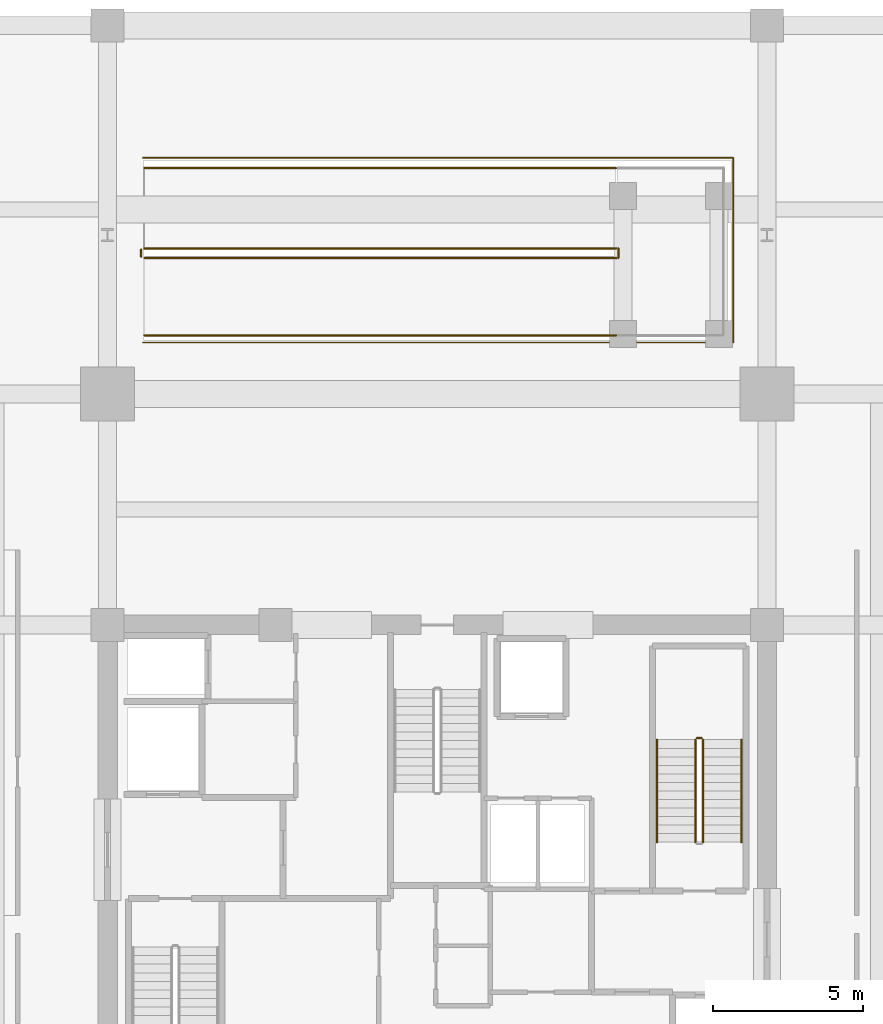
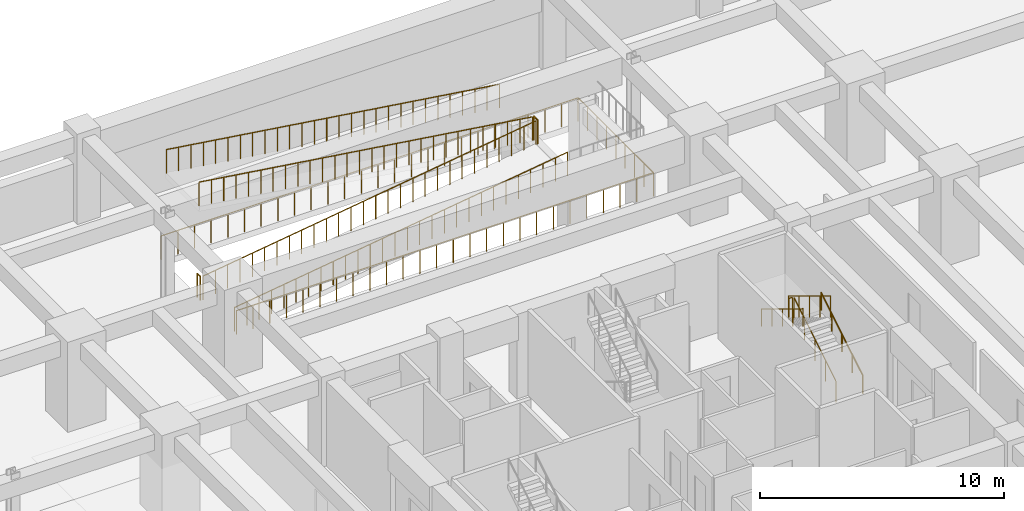
# One storey, part 14 of 16: 12 railings.
"""IFC4 building model written with IfcOpenShell, lengths in metres."""

import ifcopenshell
import ifcopenshell.guid

model = None  # the IFC model being written
_history = None  # IfcOwnerHistory: only IFC2X3 demands one
_inside = {}  # id of a spatial element -> (the spatial element, [elements in it])
_under = {}  # id of a project, library or spatial element -> (it, [spatial elements below it])
_declared = {}  # id of a project -> (the project, [libraries it declares])
_typed = {}  # id of a type object -> (the type object, [elements of that type])
_made_of = {}  # id of a material, layer set ... -> (it, [elements and type objects made of it])


def new_model(schema):
    """Start an empty IFC model of exactly this schema.

    Asked for "IFC4X3", IfcOpenShell would pick the latest addendum, in which some entities
    have other attributes; the version numbers below select the first issue.
    IFC2X3 requires an IfcOwnerHistory on every rooted entity: one is made here for all.
    """
    global model, _history
    if schema == "IFC4X3":
        model = ifcopenshell.file(schema_version=(4, 3, 0, 0))
    else:
        model = ifcopenshell.file(schema=schema)
    _inside.clear()
    _under.clear()
    _declared.clear()
    _typed.clear()
    _made_of.clear()
    _history = None
    if model.schema == "IFC2X3":
        org = make("IfcOrganization", Name="unknown")
        user = make(
            "IfcPersonAndOrganization",
            ThePerson=make("IfcPerson", FamilyName="unknown"),
            TheOrganization=org,
        )
        app = make(
            "IfcApplication",
            ApplicationDeveloper=org,
            Version="unknown",
            ApplicationFullName="unknown",
            ApplicationIdentifier="unknown",
        )
        _history = make(
            "IfcOwnerHistory",
            OwningUser=user,
            OwningApplication=app,
            ChangeAction="ADDED",
            CreationDate=0,
        )
    return model


def make(cls, **values):
    """One entity of the class cls with the attributes given. An attribute that is None is left unset."""
    return model.create_entity(
        cls, **{name: value for name, value in values.items() if value is not None}
    )


def rooted(cls, **values):
    """An entity with a GlobalId (a new one), such as an element, a storey or a relation."""
    return make(cls, GlobalId=ifcopenshell.guid.new(), OwnerHistory=_history, **values)


def si_unit(unit_type, name, prefix=None):
    """IfcSIUnit, for example si_unit("LENGTHUNIT", "METRE", prefix="MILLI")."""
    return make("IfcSIUnit", UnitType=unit_type, Prefix=prefix, Name=name)


def assignment(units):
    """IfcUnitAssignment: the units of a project."""
    return None if units is None else make("IfcUnitAssignment", Units=units)


def point(xyz):
    """IfcCartesianPoint."""
    return None if xyz is None else make("IfcCartesianPoint", Coordinates=xyz)


def direction(xyz):
    """IfcDirection."""
    return None if xyz is None else make("IfcDirection", DirectionRatios=xyz)


def frame(location, z_axis=None, x_axis=None):
    """IfcAxis2Placement3D, a coordinate frame: its origin and axes. An axis left out is left unset."""
    return make(
        "IfcAxis2Placement3D",
        Location=point(location),
        Axis=direction(z_axis),
        RefDirection=direction(x_axis),
    )


def frame_2d(location, x_axis=None):
    """IfcAxis2Placement2D, a coordinate frame in the plane: its origin and x axis."""
    return make(
        "IfcAxis2Placement2D", Location=point(location), RefDirection=direction(x_axis)
    )


def origin():
    """The frame at (0, 0, 0) with its axes left unset."""
    return frame((0.0, 0.0, 0.0))


def origin_2d():
    """The frame at (0, 0) in the plane with its x axis left unset."""
    return frame_2d((0.0, 0.0))


def place(relative_to, where):
    """IfcLocalPlacement: puts the frame where relative to a parent placement (None: the world)."""
    return make(
        "IfcLocalPlacement", PlacementRelTo=relative_to, RelativePlacement=where
    )


def context(
    kind, dimensions, precision=None, world=None, true_north=None, identifier=None
):
    """IfcGeometricRepresentationContext, for example the 3D "Model" context."""
    return make(
        "IfcGeometricRepresentationContext",
        ContextIdentifier=identifier,
        ContextType=kind,
        CoordinateSpaceDimension=dimensions,
        Precision=precision,
        WorldCoordinateSystem=world,
        TrueNorth=true_north,
    )


def subcontext(parent, identifier, kind, view, scale=None):
    """IfcGeometricRepresentationSubContext, for example "Body" below "Model"."""
    return make(
        "IfcGeometricRepresentationSubContext",
        ContextIdentifier=identifier,
        ContextType=kind,
        ParentContext=parent,
        TargetScale=scale,
        TargetView=view,
    )


def project(units=None, contexts=None):
    """IfcProject with its units and contexts."""
    return rooted(
        "IfcProject",
        Name="project",
        RepresentationContexts=contexts,
        UnitsInContext=assignment(units),
    )


def spatial(cls, under=None, at=None, **own):
    """A site, building, storey or space (cls), placed at a placement, below another one or the project."""
    s = rooted(cls, ObjectPlacement=at, **own)
    if under is not None:
        _under.setdefault(under.id(), (under, []))[1].append(s)
    return s


def profile(cls, at=None, kind="AREA", **sizes):
    """A parametric profile (cls). Its sizes go by their IFC names, for example OverallWidth=200.0."""
    return make(cls, ProfileType=kind, Position=at, **sizes)


def circle(**sizes):
    """IfcCircleProfileDef."""
    return profile("IfcCircleProfileDef", **sizes)


def extrude(swept, where, along, depth):
    """IfcExtrudedAreaSolid: the profile swept, set in the frame where, extruded along a direction by depth."""
    return make(
        "IfcExtrudedAreaSolid",
        SweptArea=swept,
        Position=where,
        ExtrudedDirection=direction(along),
        Depth=depth,
    )


def shape(context_of_items, identifier, shape_type, items):
    """IfcShapeRepresentation: the items that make up one representation, for example the "Body"."""
    return make(
        "IfcShapeRepresentation",
        ContextOfItems=context_of_items,
        RepresentationIdentifier=identifier,
        RepresentationType=shape_type,
        Items=items,
    )


def material(Name=None, Category=None):
    """IfcMaterial."""
    return make("IfcMaterial", Name=Name, Category=Category)


def made_of(thing, what):
    """Note that an element or type object is made of a material, layer set ...; save() writes the relation."""
    if what is not None:
        _made_of.setdefault(what.id(), (what, []))[1].append(thing)
    return thing


def type_object(cls, material=None, **own):
    """A type object (cls), such as IfcWallType, which elements share."""
    return made_of(rooted(cls, **own), material)


def element(
    cls,
    number,
    at=None,
    inside=None,
    cuts=None,
    type_object=None,
    material=None,
    context=None,
    identifier="Body",
    shape_type=None,
    held_by="IfcProductDefinitionShape",
    body=None,
    shapes=None,
    **own,
):
    """One element of the class cls, such as IfcWall. Its Tag is "e" and its number.

    at: its placement. inside: the storey or other place that contains it. cuts: it is an
    opening in that element (IfcRelVoidsElement). A single representation is given by context,
    identifier, shape_type and body (its items); several are given by shapes. held_by: the class
    of the entity that holds the representations. save() writes the other relations.
    """
    e = rooted(cls, Tag="e%d" % number, ObjectPlacement=at, **own)
    if body is not None:
        shapes = [shape(context, identifier, shape_type, body)]
    if shapes is not None:
        e.Representation = make(held_by, Representations=shapes)
    if inside is not None:
        _inside.setdefault(inside.id(), (inside, []))[1].append(e)
    if cuts is not None:
        rooted(
            "IfcRelVoidsElement", RelatingBuildingElement=cuts, RelatedOpeningElement=e
        )
    if type_object is not None:
        _typed.setdefault(type_object.id(), (type_object, []))[1].append(e)
    return made_of(e, material)


def aggregate(whole, parts):
    """IfcRelAggregates: a whole, such as a stair, and the parts it consists of."""
    return rooted("IfcRelAggregates", RelatingObject=whole, RelatedObjects=parts)


def save(model, path):
    """Write the relations noted so far, then the file.

    IfcRelAggregates (storeys below a building ...), IfcRelContainedInSpatialStructure (elements
    in a storey), IfcRelDefinesByType, IfcRelAssociatesMaterial and IfcRelDeclares: one each for
    every whole, place, type object, material and project.
    """
    for whole, parts in _under.values():
        aggregate(whole, parts)
    for where, things in _inside.values():
        rooted(
            "IfcRelContainedInSpatialStructure",
            RelatedElements=things,
            RelatingStructure=where,
        )
    for kind, things in _typed.values():
        rooted("IfcRelDefinesByType", RelatedObjects=things, RelatingType=kind)
    for what, things in _made_of.values():
        rooted("IfcRelAssociatesMaterial", RelatedObjects=things, RelatingMaterial=what)
    for by, libraries in _declared.values():
        rooted("IfcRelDeclares", RelatingContext=by, RelatedDefinitions=libraries)
    model.write(path)


model = new_model("IFC4")

# Units and contexts
model_context = context("Model", 3, precision=1e-05, world=origin(), true_north=direction((0.0, 1.0)))
body_context = subcontext(model_context, "Body", "Model", "MODEL_VIEW")
ifc_project = project(units=[si_unit("LENGTHUNIT", "METRE"), si_unit("AREAUNIT", "SQUARE_METRE"), si_unit("VOLUMEUNIT", "CUBIC_METRE"), si_unit("PLANEANGLEUNIT", "RADIAN"), si_unit("MASSUNIT", "GRAM", prefix="KILO")], contexts=[model_context])

# Site, building, storey
site_placement = place(None, origin())
site = spatial("IfcSite", under=ifc_project, at=site_placement, CompositionType="ELEMENT")
building_placement = place(site_placement, origin())
building = spatial("IfcBuilding", under=site, at=building_placement, Name="Kovane Verandah Tower", CompositionType="ELEMENT")
storey_placement = place(building_placement, frame((0.0, 0.0, -4.5)))
storey = spatial("IfcBuildingStorey", under=building, at=storey_placement, Name="B1", CompositionType="ELEMENT", Elevation=-4.5)

# Railings
ifc_material_1 = material(Name="Pale-Champagne Stainless Steel and Glass Perimeter Guard", Category="steel")
railing_type_1 = type_object("IfcRailingType", Name="RL-GDN-1200", PredefinedType="GUARDRAIL", material=ifc_material_1)
railing_1_placement = place(storey_placement, frame((46.0400390625, 48.739990234375, 2.25)))
element("IfcRailing", 1, at=railing_1_placement, inside=storey, type_object=railing_type_1, Name="B1 Vehicle Ramp Landing Median Guard", PredefinedType="GUARDRAIL", context=body_context, shape_type="SweptSolid", body=[
    extrude(circle(Radius=0.02392578125, at=origin_2d()), frame((0.0, 0.0, 1.17578125), z_axis=(0.0, 1.0, 0.0), x_axis=(-1.0, 0.0, 0.0)), (0.0, 0.0, 1.0), 0.320068359375),
    extrude(circle(Radius=0.02099609375, at=origin_2d()), origin(), (0.0, 0.0, 1.0), 1.15185546875),
    extrude(circle(Radius=0.02099609375, at=origin_2d()), frame((0.0, 0.320068359375, 0.0)), (0.0, 0.0, 1.0), 1.15185546875),
])
railing_2_placement = place(storey_placement, frame((30.22998046875, 46.159912109375, 0.0)))
element("IfcRailing", 2, at=railing_2_placement, inside=storey, type_object=railing_type_1, Name="B1 Vehicle Ramp Sloped Kerb Guard F1S", PredefinedType="GUARDRAIL", context=body_context, shape_type="SweptSolid", body=[
    extrude(circle(Radius=0.02392578125, at=origin_2d()), frame((0.0, 0.0, 1.17578125), z_axis=(0.989936898832, 0.0, 0.141509492014), x_axis=(0.0, 1.0, 0.0)), (0.0, 0.0, 1.0), 15.89990234375),
    extrude(circle(Radius=0.02099609375, at=origin_2d()), origin(), (0.0, 0.0, 1.0), 1.15185546875),
    extrude(circle(Radius=0.02099609375, at=origin_2d()), frame((0.5830078125, 0.0, 0.083251953125)), (0.0, 0.0, 1.0), 1.15185546875),
    extrude(circle(Radius=0.02099609375, at=origin_2d()), frame((1.166015625, 0.0, 0.166748046875)), (0.0, 0.0, 1.0), 1.15185546875),
    extrude(circle(Radius=0.02099609375, at=origin_2d()), frame((1.748779296875, 0.0, 0.25)), (0.0, 0.0, 1.0), 1.15185546875),
    extrude(circle(Radius=0.02099609375, at=origin_2d()), frame((2.331787109375, 0.0, 0.333251953125)), (0.0, 0.0, 1.0), 1.15185546875),
    extrude(circle(Radius=0.02099609375, at=origin_2d()), frame((2.914794921875, 0.0, 0.416748046875)), (0.0, 0.0, 1.0), 1.15185546875),
    extrude(circle(Radius=0.02099609375, at=origin_2d()), frame((3.497802734375, 0.0, 0.5)), (0.0, 0.0, 1.0), 1.15185546875),
    extrude(circle(Radius=0.02099609375, at=origin_2d()), frame((4.080810546875, 0.0, 0.583251953125)), (0.0, 0.0, 1.0), 1.15185546875),
    extrude(circle(Radius=0.02099609375, at=origin_2d()), frame((4.663818359375, 0.0, 0.666748046875)), (0.0, 0.0, 1.0), 1.15185546875),
    extrude(circle(Radius=0.02099609375, at=origin_2d()), frame((5.24658203125, 0.0, 0.75)), (0.0, 0.0, 1.0), 1.15185546875),
    extrude(circle(Radius=0.02099609375, at=origin_2d()), frame((5.82958984375, 0.0, 0.833251953125)), (0.0, 0.0, 1.0), 1.15185546875),
    extrude(circle(Radius=0.02099609375, at=origin_2d()), frame((6.41259765625, 0.0, 0.916748046875)), (0.0, 0.0, 1.0), 1.15185546875),
    extrude(circle(Radius=0.02099609375, at=origin_2d()), frame((6.99560546875, 0.0, 1.0)), (0.0, 0.0, 1.0), 1.15185546875),
    extrude(circle(Radius=0.02099609375, at=origin_2d()), frame((7.57861328125, 0.0, 1.083251953125)), (0.0, 0.0, 1.0), 1.15185546875),
    extrude(circle(Radius=0.02099609375, at=origin_2d()), frame((8.161376953125, 0.0, 1.166748046875)), (0.0, 0.0, 1.0), 1.15185546875),
    extrude(circle(Radius=0.02099609375, at=origin_2d()), frame((8.744384765625, 0.0, 1.25)), (0.0, 0.0, 1.0), 1.15185546875),
    extrude(circle(Radius=0.02099609375, at=origin_2d()), frame((9.327392578125, 0.0, 1.333251953125)), (0.0, 0.0, 1.0), 1.15185546875),
    extrude(circle(Radius=0.02099609375, at=origin_2d()), frame((9.910400390625, 0.0, 1.416748046875)), (0.0, 0.0, 1.0), 1.15185546875),
    extrude(circle(Radius=0.02099609375, at=origin_2d()), frame((10.493408203125, 0.0, 1.5)), (0.0, 0.0, 1.0), 1.15185546875),
    extrude(circle(Radius=0.02099609375, at=origin_2d()), frame((11.076171875, 0.0, 1.583251953125)), (0.0, 0.0, 1.0), 1.15185546875),
    extrude(circle(Radius=0.02099609375, at=origin_2d()), frame((11.6591796875, 0.0, 1.666748046875)), (0.0, 0.0, 1.0), 1.15185546875),
    extrude(circle(Radius=0.02099609375, at=origin_2d()), frame((12.2421875, 0.0, 1.75)), (0.0, 0.0, 1.0), 1.15185546875),
    extrude(circle(Radius=0.02099609375, at=origin_2d()), frame((12.8251953125, 0.0, 1.833251953125)), (0.0, 0.0, 1.0), 1.15185546875),
    extrude(circle(Radius=0.02099609375, at=origin_2d()), frame((13.408203125, 0.0, 1.916748046875)), (0.0, 0.0, 1.0), 1.15185546875),
    extrude(circle(Radius=0.02099609375, at=origin_2d()), frame((13.9912109375, 0.0, 2.0)), (0.0, 0.0, 1.0), 1.15185546875),
    extrude(circle(Radius=0.02099609375, at=origin_2d()), frame((14.573974609375, 0.0, 2.083251953125)), (0.0, 0.0, 1.0), 1.15185546875),
    extrude(circle(Radius=0.02099609375, at=origin_2d()), frame((15.156982421875, 0.0, 2.166748046875)), (0.0, 0.0, 1.0), 1.15185546875),
    extrude(circle(Radius=0.02099609375, at=origin_2d()), frame((15.739990234375, 0.0, 2.25)), (0.0, 0.0, 1.0), 1.15185546875),
])
railing_3_placement = place(storey_placement, frame((30.22998046875, 48.739990234375, 0.0)))
element("IfcRailing", 3, at=railing_3_placement, inside=storey, type_object=railing_type_1, Name="B1 Vehicle Ramp Sloped Kerb Guard F1N", PredefinedType="GUARDRAIL", context=body_context, shape_type="SweptSolid", body=[
    extrude(circle(Radius=0.02392578125, at=origin_2d()), frame((0.0, 0.0, 1.17578125), z_axis=(0.989936898832, 0.0, 0.141509492014), x_axis=(0.0, 1.0, 0.0)), (0.0, 0.0, 1.0), 15.89990234375),
    extrude(circle(Radius=0.02099609375, at=origin_2d()), origin(), (0.0, 0.0, 1.0), 1.15185546875),
    extrude(circle(Radius=0.02099609375, at=origin_2d()), frame((0.5830078125, 0.0, 0.083251953125)), (0.0, 0.0, 1.0), 1.15185546875),
    extrude(circle(Radius=0.02099609375, at=origin_2d()), frame((1.166015625, 0.0, 0.166748046875)), (0.0, 0.0, 1.0), 1.15185546875),
    extrude(circle(Radius=0.02099609375, at=origin_2d()), frame((1.748779296875, 0.0, 0.25)), (0.0, 0.0, 1.0), 1.15185546875),
    extrude(circle(Radius=0.02099609375, at=origin_2d()), frame((2.331787109375, 0.0, 0.333251953125)), (0.0, 0.0, 1.0), 1.15185546875),
    extrude(circle(Radius=0.02099609375, at=origin_2d()), frame((2.914794921875, 0.0, 0.416748046875)), (0.0, 0.0, 1.0), 1.15185546875),
    extrude(circle(Radius=0.02099609375, at=origin_2d()), frame((3.497802734375, 0.0, 0.5)), (0.0, 0.0, 1.0), 1.15185546875),
    extrude(circle(Radius=0.02099609375, at=origin_2d()), frame((4.080810546875, 0.0, 0.583251953125)), (0.0, 0.0, 1.0), 1.15185546875),
    extrude(circle(Radius=0.02099609375, at=origin_2d()), frame((4.663818359375, 0.0, 0.666748046875)), (0.0, 0.0, 1.0), 1.15185546875),
    extrude(circle(Radius=0.02099609375, at=origin_2d()), frame((5.24658203125, 0.0, 0.75)), (0.0, 0.0, 1.0), 1.15185546875),
    extrude(circle(Radius=0.02099609375, at=origin_2d()), frame((5.82958984375, 0.0, 0.833251953125)), (0.0, 0.0, 1.0), 1.15185546875),
    extrude(circle(Radius=0.02099609375, at=origin_2d()), frame((6.41259765625, 0.0, 0.916748046875)), (0.0, 0.0, 1.0), 1.15185546875),
    extrude(circle(Radius=0.02099609375, at=origin_2d()), frame((6.99560546875, 0.0, 1.0)), (0.0, 0.0, 1.0), 1.15185546875),
    extrude(circle(Radius=0.02099609375, at=origin_2d()), frame((7.57861328125, 0.0, 1.083251953125)), (0.0, 0.0, 1.0), 1.15185546875),
    extrude(circle(Radius=0.02099609375, at=origin_2d()), frame((8.161376953125, 0.0, 1.166748046875)), (0.0, 0.0, 1.0), 1.15185546875),
    extrude(circle(Radius=0.02099609375, at=origin_2d()), frame((8.744384765625, 0.0, 1.25)), (0.0, 0.0, 1.0), 1.15185546875),
    extrude(circle(Radius=0.02099609375, at=origin_2d()), frame((9.327392578125, 0.0, 1.333251953125)), (0.0, 0.0, 1.0), 1.15185546875),
    extrude(circle(Radius=0.02099609375, at=origin_2d()), frame((9.910400390625, 0.0, 1.416748046875)), (0.0, 0.0, 1.0), 1.15185546875),
    extrude(circle(Radius=0.02099609375, at=origin_2d()), frame((10.493408203125, 0.0, 1.5)), (0.0, 0.0, 1.0), 1.15185546875),
    extrude(circle(Radius=0.02099609375, at=origin_2d()), frame((11.076171875, 0.0, 1.583251953125)), (0.0, 0.0, 1.0), 1.15185546875),
    extrude(circle(Radius=0.02099609375, at=origin_2d()), frame((11.6591796875, 0.0, 1.666748046875)), (0.0, 0.0, 1.0), 1.15185546875),
    extrude(circle(Radius=0.02099609375, at=origin_2d()), frame((12.2421875, 0.0, 1.75)), (0.0, 0.0, 1.0), 1.15185546875),
    extrude(circle(Radius=0.02099609375, at=origin_2d()), frame((12.8251953125, 0.0, 1.833251953125)), (0.0, 0.0, 1.0), 1.15185546875),
    extrude(circle(Radius=0.02099609375, at=origin_2d()), frame((13.408203125, 0.0, 1.916748046875)), (0.0, 0.0, 1.0), 1.15185546875),
    extrude(circle(Radius=0.02099609375, at=origin_2d()), frame((13.9912109375, 0.0, 2.0)), (0.0, 0.0, 1.0), 1.15185546875),
    extrude(circle(Radius=0.02099609375, at=origin_2d()), frame((14.573974609375, 0.0, 2.083251953125)), (0.0, 0.0, 1.0), 1.15185546875),
    extrude(circle(Radius=0.02099609375, at=origin_2d()), frame((15.156982421875, 0.0, 2.166748046875)), (0.0, 0.0, 1.0), 1.15185546875),
    extrude(circle(Radius=0.02099609375, at=origin_2d()), frame((15.739990234375, 0.0, 2.25)), (0.0, 0.0, 1.0), 1.15185546875),
])
railing_4_placement = place(storey_placement, frame((30.22998046875, 49.06005859375, 4.5)))
element("IfcRailing", 4, at=railing_4_placement, inside=storey, type_object=railing_type_1, Name="B1 Vehicle Ramp Sloped Kerb Guard F2S", PredefinedType="GUARDRAIL", context=body_context, shape_type="SweptSolid", body=[
    extrude(circle(Radius=0.02392578125, at=origin_2d()), frame((0.0, 0.0, 1.17578125), z_axis=(0.989936898832, 0.0, -0.141509492014), x_axis=(0.0, 1.0, 0.0)), (0.0, 0.0, 1.0), 15.89990234375),
    extrude(circle(Radius=0.02099609375, at=origin_2d()), origin(), (0.0, 0.0, 1.0), 1.15185546875),
    extrude(circle(Radius=0.02099609375, at=origin_2d()), frame((0.5830078125, 0.0, -0.083251953125)), (0.0, 0.0, 1.0), 1.15185546875),
    extrude(circle(Radius=0.02099609375, at=origin_2d()), frame((1.166015625, 0.0, -0.166748046875)), (0.0, 0.0, 1.0), 1.15185546875),
    extrude(circle(Radius=0.02099609375, at=origin_2d()), frame((1.748779296875, 0.0, -0.25)), (0.0, 0.0, 1.0), 1.15185546875),
    extrude(circle(Radius=0.02099609375, at=origin_2d()), frame((2.331787109375, 0.0, -0.333251953125)), (0.0, 0.0, 1.0), 1.15185546875),
    extrude(circle(Radius=0.02099609375, at=origin_2d()), frame((2.914794921875, 0.0, -0.416748046875)), (0.0, 0.0, 1.0), 1.15185546875),
    extrude(circle(Radius=0.02099609375, at=origin_2d()), frame((3.497802734375, 0.0, -0.5)), (0.0, 0.0, 1.0), 1.15185546875),
    extrude(circle(Radius=0.02099609375, at=origin_2d()), frame((4.080810546875, 0.0, -0.583251953125)), (0.0, 0.0, 1.0), 1.15185546875),
    extrude(circle(Radius=0.02099609375, at=origin_2d()), frame((4.663818359375, 0.0, -0.666748046875)), (0.0, 0.0, 1.0), 1.15185546875),
    extrude(circle(Radius=0.02099609375, at=origin_2d()), frame((5.24658203125, 0.0, -0.75)), (0.0, 0.0, 1.0), 1.15185546875),
    extrude(circle(Radius=0.02099609375, at=origin_2d()), frame((5.82958984375, 0.0, -0.833251953125)), (0.0, 0.0, 1.0), 1.15185546875),
    extrude(circle(Radius=0.02099609375, at=origin_2d()), frame((6.41259765625, 0.0, -0.916748046875)), (0.0, 0.0, 1.0), 1.15185546875),
    extrude(circle(Radius=0.02099609375, at=origin_2d()), frame((6.99560546875, 0.0, -1.0)), (0.0, 0.0, 1.0), 1.15185546875),
    extrude(circle(Radius=0.02099609375, at=origin_2d()), frame((7.57861328125, 0.0, -1.083251953125)), (0.0, 0.0, 1.0), 1.15185546875),
    extrude(circle(Radius=0.02099609375, at=origin_2d()), frame((8.161376953125, 0.0, -1.166748046875)), (0.0, 0.0, 1.0), 1.15185546875),
    extrude(circle(Radius=0.02099609375, at=origin_2d()), frame((8.744384765625, 0.0, -1.25)), (0.0, 0.0, 1.0), 1.15185546875),
    extrude(circle(Radius=0.02099609375, at=origin_2d()), frame((9.327392578125, 0.0, -1.333251953125)), (0.0, 0.0, 1.0), 1.15185546875),
    extrude(circle(Radius=0.02099609375, at=origin_2d()), frame((9.910400390625, 0.0, -1.416748046875)), (0.0, 0.0, 1.0), 1.15185546875),
    extrude(circle(Radius=0.02099609375, at=origin_2d()), frame((10.493408203125, 0.0, -1.5)), (0.0, 0.0, 1.0), 1.15185546875),
    extrude(circle(Radius=0.02099609375, at=origin_2d()), frame((11.076171875, 0.0, -1.583251953125)), (0.0, 0.0, 1.0), 1.15185546875),
    extrude(circle(Radius=0.02099609375, at=origin_2d()), frame((11.6591796875, 0.0, -1.666748046875)), (0.0, 0.0, 1.0), 1.15185546875),
    extrude(circle(Radius=0.02099609375, at=origin_2d()), frame((12.2421875, 0.0, -1.75)), (0.0, 0.0, 1.0), 1.15185546875),
    extrude(circle(Radius=0.02099609375, at=origin_2d()), frame((12.8251953125, 0.0, -1.833251953125)), (0.0, 0.0, 1.0), 1.15185546875),
    extrude(circle(Radius=0.02099609375, at=origin_2d()), frame((13.408203125, 0.0, -1.916748046875)), (0.0, 0.0, 1.0), 1.15185546875),
    extrude(circle(Radius=0.02099609375, at=origin_2d()), frame((13.9912109375, 0.0, -2.0)), (0.0, 0.0, 1.0), 1.15185546875),
    extrude(circle(Radius=0.02099609375, at=origin_2d()), frame((14.573974609375, 0.0, -2.083251953125)), (0.0, 0.0, 1.0), 1.15185546875),
    extrude(circle(Radius=0.02099609375, at=origin_2d()), frame((15.156982421875, 0.0, -2.166748046875)), (0.0, 0.0, 1.0), 1.15185546875),
    extrude(circle(Radius=0.02099609375, at=origin_2d()), frame((15.739990234375, 0.0, -2.25)), (0.0, 0.0, 1.0), 1.15185546875),
])
railing_5_placement = place(storey_placement, frame((30.22998046875, 51.739990234375, 4.5)))
element("IfcRailing", 5, at=railing_5_placement, inside=storey, type_object=railing_type_1, Name="B1 Vehicle Ramp Sloped Kerb Guard F2N", PredefinedType="GUARDRAIL", context=body_context, shape_type="SweptSolid", body=[
    extrude(circle(Radius=0.02392578125, at=origin_2d()), frame((0.0, 0.0, 1.17578125), z_axis=(0.989936898832, 0.0, -0.141509492014), x_axis=(0.0, 1.0, 0.0)), (0.0, 0.0, 1.0), 15.89990234375),
    extrude(circle(Radius=0.02099609375, at=origin_2d()), origin(), (0.0, 0.0, 1.0), 1.15185546875),
    extrude(circle(Radius=0.02099609375, at=origin_2d()), frame((0.5830078125, 0.0, -0.083251953125)), (0.0, 0.0, 1.0), 1.15185546875),
    extrude(circle(Radius=0.02099609375, at=origin_2d()), frame((1.166015625, 0.0, -0.166748046875)), (0.0, 0.0, 1.0), 1.15185546875),
    extrude(circle(Radius=0.02099609375, at=origin_2d()), frame((1.748779296875, 0.0, -0.25)), (0.0, 0.0, 1.0), 1.15185546875),
    extrude(circle(Radius=0.02099609375, at=origin_2d()), frame((2.331787109375, 0.0, -0.333251953125)), (0.0, 0.0, 1.0), 1.15185546875),
    extrude(circle(Radius=0.02099609375, at=origin_2d()), frame((2.914794921875, 0.0, -0.416748046875)), (0.0, 0.0, 1.0), 1.15185546875),
    extrude(circle(Radius=0.02099609375, at=origin_2d()), frame((3.497802734375, 0.0, -0.5)), (0.0, 0.0, 1.0), 1.15185546875),
    extrude(circle(Radius=0.02099609375, at=origin_2d()), frame((4.080810546875, 0.0, -0.583251953125)), (0.0, 0.0, 1.0), 1.15185546875),
    extrude(circle(Radius=0.02099609375, at=origin_2d()), frame((4.663818359375, 0.0, -0.666748046875)), (0.0, 0.0, 1.0), 1.15185546875),
    extrude(circle(Radius=0.02099609375, at=origin_2d()), frame((5.24658203125, 0.0, -0.75)), (0.0, 0.0, 1.0), 1.15185546875),
    extrude(circle(Radius=0.02099609375, at=origin_2d()), frame((5.82958984375, 0.0, -0.833251953125)), (0.0, 0.0, 1.0), 1.15185546875),
    extrude(circle(Radius=0.02099609375, at=origin_2d()), frame((6.41259765625, 0.0, -0.916748046875)), (0.0, 0.0, 1.0), 1.15185546875),
    extrude(circle(Radius=0.02099609375, at=origin_2d()), frame((6.99560546875, 0.0, -1.0)), (0.0, 0.0, 1.0), 1.15185546875),
    extrude(circle(Radius=0.02099609375, at=origin_2d()), frame((7.57861328125, 0.0, -1.083251953125)), (0.0, 0.0, 1.0), 1.15185546875),
    extrude(circle(Radius=0.02099609375, at=origin_2d()), frame((8.161376953125, 0.0, -1.166748046875)), (0.0, 0.0, 1.0), 1.15185546875),
    extrude(circle(Radius=0.02099609375, at=origin_2d()), frame((8.744384765625, 0.0, -1.25)), (0.0, 0.0, 1.0), 1.15185546875),
    extrude(circle(Radius=0.02099609375, at=origin_2d()), frame((9.327392578125, 0.0, -1.333251953125)), (0.0, 0.0, 1.0), 1.15185546875),
    extrude(circle(Radius=0.02099609375, at=origin_2d()), frame((9.910400390625, 0.0, -1.416748046875)), (0.0, 0.0, 1.0), 1.15185546875),
    extrude(circle(Radius=0.02099609375, at=origin_2d()), frame((10.493408203125, 0.0, -1.5)), (0.0, 0.0, 1.0), 1.15185546875),
    extrude(circle(Radius=0.02099609375, at=origin_2d()), frame((11.076171875, 0.0, -1.583251953125)), (0.0, 0.0, 1.0), 1.15185546875),
    extrude(circle(Radius=0.02099609375, at=origin_2d()), frame((11.6591796875, 0.0, -1.666748046875)), (0.0, 0.0, 1.0), 1.15185546875),
    extrude(circle(Radius=0.02099609375, at=origin_2d()), frame((12.2421875, 0.0, -1.75)), (0.0, 0.0, 1.0), 1.15185546875),
    extrude(circle(Radius=0.02099609375, at=origin_2d()), frame((12.8251953125, 0.0, -1.833251953125)), (0.0, 0.0, 1.0), 1.15185546875),
    extrude(circle(Radius=0.02099609375, at=origin_2d()), frame((13.408203125, 0.0, -1.916748046875)), (0.0, 0.0, 1.0), 1.15185546875),
    extrude(circle(Radius=0.02099609375, at=origin_2d()), frame((13.9912109375, 0.0, -2.0)), (0.0, 0.0, 1.0), 1.15185546875),
    extrude(circle(Radius=0.02099609375, at=origin_2d()), frame((14.573974609375, 0.0, -2.083251953125)), (0.0, 0.0, 1.0), 1.15185546875),
    extrude(circle(Radius=0.02099609375, at=origin_2d()), frame((15.156982421875, 0.0, -2.166748046875)), (0.0, 0.0, 1.0), 1.15185546875),
    extrude(circle(Radius=0.02099609375, at=origin_2d()), frame((15.739990234375, 0.0, -2.25)), (0.0, 0.0, 1.0), 1.15185546875),
])
railing_6_placement = place(storey_placement, frame((30.179931640625, 45.919921875, 0.0)))
element("IfcRailing", 6, at=railing_6_placement, inside=storey, type_object=railing_type_1, Name="B1 Vehicle Ramp Slab Opening Perimeter Guard", PredefinedType="GUARDRAIL", context=body_context, shape_type="SweptSolid", body=[
    extrude(circle(Radius=0.02392578125, at=origin_2d()), frame((0.0, 0.0, 1.17578125), z_axis=(1.0, 0.0, 0.0), x_axis=(0.0, 1.0, 0.0)), (0.0, 0.0, 1.0), 19.699951171875),
    extrude(circle(Radius=0.02392578125, at=origin_2d()), frame((19.699951171875, 0.0, 1.17578125), z_axis=(0.0, 1.0, 0.0), x_axis=(-1.0, 0.0, 0.0)), (0.0, 0.0, 1.0), 6.16015625),
    extrude(circle(Radius=0.02392578125, at=origin_2d()), frame((19.699951171875, 6.16015625, 1.17578125), z_axis=(-1.0, 0.0, 0.0), x_axis=(0.0, -1.0, 0.0)), (0.0, 0.0, 1.0), 19.699951171875),
    extrude(circle(Radius=0.02099609375, at=origin_2d()), origin(), (0.0, 0.0, 1.0), 1.15185546875),
    extrude(circle(Radius=0.02099609375, at=origin_2d()), frame((0.7880859375, 0.0, 0.0)), (0.0, 0.0, 1.0), 1.15185546875),
    extrude(circle(Radius=0.02099609375, at=origin_2d()), frame((1.575927734375, 0.0, 0.0)), (0.0, 0.0, 1.0), 1.15185546875),
    extrude(circle(Radius=0.02099609375, at=origin_2d()), frame((2.364013671875, 0.0, 0.0)), (0.0, 0.0, 1.0), 1.15185546875),
    extrude(circle(Radius=0.02099609375, at=origin_2d()), frame((3.152099609375, 0.0, 0.0)), (0.0, 0.0, 1.0), 1.15185546875),
    extrude(circle(Radius=0.02099609375, at=origin_2d()), frame((3.93994140625, 0.0, 0.0)), (0.0, 0.0, 1.0), 1.15185546875),
    extrude(circle(Radius=0.02099609375, at=origin_2d()), frame((4.72802734375, 0.0, 0.0)), (0.0, 0.0, 1.0), 1.15185546875),
    extrude(circle(Radius=0.02099609375, at=origin_2d()), frame((5.515869140625, 0.0, 0.0)), (0.0, 0.0, 1.0), 1.15185546875),
    extrude(circle(Radius=0.02099609375, at=origin_2d()), frame((6.303955078125, 0.0, 0.0)), (0.0, 0.0, 1.0), 1.15185546875),
    extrude(circle(Radius=0.02099609375, at=origin_2d()), frame((7.092041015625, 0.0, 0.0)), (0.0, 0.0, 1.0), 1.15185546875),
    extrude(circle(Radius=0.02099609375, at=origin_2d()), frame((7.8798828125, 0.0, 0.0)), (0.0, 0.0, 1.0), 1.15185546875),
    extrude(circle(Radius=0.02099609375, at=origin_2d()), frame((8.66796875, 0.0, 0.0)), (0.0, 0.0, 1.0), 1.15185546875),
    extrude(circle(Radius=0.02099609375, at=origin_2d()), frame((9.4560546875, 0.0, 0.0)), (0.0, 0.0, 1.0), 1.15185546875),
    extrude(circle(Radius=0.02099609375, at=origin_2d()), frame((10.243896484375, 0.0, 0.0)), (0.0, 0.0, 1.0), 1.15185546875),
    extrude(circle(Radius=0.02099609375, at=origin_2d()), frame((11.031982421875, 0.0, 0.0)), (0.0, 0.0, 1.0), 1.15185546875),
    extrude(circle(Radius=0.02099609375, at=origin_2d()), frame((11.820068359375, 0.0, 0.0)), (0.0, 0.0, 1.0), 1.15185546875),
    extrude(circle(Radius=0.02099609375, at=origin_2d()), frame((12.60791015625, 0.0, 0.0)), (0.0, 0.0, 1.0), 1.15185546875),
    extrude(circle(Radius=0.02099609375, at=origin_2d()), frame((13.39599609375, 0.0, 0.0)), (0.0, 0.0, 1.0), 1.15185546875),
    extrude(circle(Radius=0.02099609375, at=origin_2d()), frame((14.18408203125, 0.0, 0.0)), (0.0, 0.0, 1.0), 1.15185546875),
    extrude(circle(Radius=0.02099609375, at=origin_2d()), frame((14.971923828125, 0.0, 0.0)), (0.0, 0.0, 1.0), 1.15185546875),
    extrude(circle(Radius=0.02099609375, at=origin_2d()), frame((15.760009765625, 0.0, 0.0)), (0.0, 0.0, 1.0), 1.15185546875),
    extrude(circle(Radius=0.02099609375, at=origin_2d()), frame((16.5478515625, 0.0, 0.0)), (0.0, 0.0, 1.0), 1.15185546875),
    extrude(circle(Radius=0.02099609375, at=origin_2d()), frame((17.3359375, 0.0, 0.0)), (0.0, 0.0, 1.0), 1.15185546875),
    extrude(circle(Radius=0.02099609375, at=origin_2d()), frame((18.1240234375, 0.0, 0.0)), (0.0, 0.0, 1.0), 1.15185546875),
    extrude(circle(Radius=0.02099609375, at=origin_2d()), frame((18.911865234375, 0.0, 0.0)), (0.0, 0.0, 1.0), 1.15185546875),
    extrude(circle(Radius=0.02099609375, at=origin_2d()), frame((19.699951171875, 0.0, 0.0)), (0.0, 0.0, 1.0), 1.15185546875),
    extrude(circle(Radius=0.02099609375, at=origin_2d()), frame((19.699951171875, 0.77001953125, 0.0)), (0.0, 0.0, 1.0), 1.15185546875),
    extrude(circle(Radius=0.02099609375, at=origin_2d()), frame((19.699951171875, 1.5400390625, 0.0)), (0.0, 0.0, 1.0), 1.15185546875),
    extrude(circle(Radius=0.02099609375, at=origin_2d()), frame((19.699951171875, 2.31005859375, 0.0)), (0.0, 0.0, 1.0), 1.15185546875),
    extrude(circle(Radius=0.02099609375, at=origin_2d()), frame((19.699951171875, 3.080078125, 0.0)), (0.0, 0.0, 1.0), 1.15185546875),
    extrude(circle(Radius=0.02099609375, at=origin_2d()), frame((19.699951171875, 3.85009765625, 0.0)), (0.0, 0.0, 1.0), 1.15185546875),
    extrude(circle(Radius=0.02099609375, at=origin_2d()), frame((19.699951171875, 4.6201171875, 0.0)), (0.0, 0.0, 1.0), 1.15185546875),
    extrude(circle(Radius=0.02099609375, at=origin_2d()), frame((19.699951171875, 5.39013671875, 0.0)), (0.0, 0.0, 1.0), 1.15185546875),
    extrude(circle(Radius=0.02099609375, at=origin_2d()), frame((19.699951171875, 6.16015625, 0.0)), (0.0, 0.0, 1.0), 1.15185546875),
    extrude(circle(Radius=0.02099609375, at=origin_2d()), frame((18.911865234375, 6.16015625, 0.0)), (0.0, 0.0, 1.0), 1.15185546875),
    extrude(circle(Radius=0.02099609375, at=origin_2d()), frame((18.1240234375, 6.16015625, 0.0)), (0.0, 0.0, 1.0), 1.15185546875),
    extrude(circle(Radius=0.02099609375, at=origin_2d()), frame((17.3359375, 6.16015625, 0.0)), (0.0, 0.0, 1.0), 1.15185546875),
    extrude(circle(Radius=0.02099609375, at=origin_2d()), frame((16.5478515625, 6.16015625, 0.0)), (0.0, 0.0, 1.0), 1.15185546875),
    extrude(circle(Radius=0.02099609375, at=origin_2d()), frame((15.760009765625, 6.16015625, 0.0)), (0.0, 0.0, 1.0), 1.15185546875),
    extrude(circle(Radius=0.02099609375, at=origin_2d()), frame((14.971923828125, 6.16015625, 0.0)), (0.0, 0.0, 1.0), 1.15185546875),
    extrude(circle(Radius=0.02099609375, at=origin_2d()), frame((14.18408203125, 6.16015625, 0.0)), (0.0, 0.0, 1.0), 1.15185546875),
    extrude(circle(Radius=0.02099609375, at=origin_2d()), frame((13.39599609375, 6.16015625, 0.0)), (0.0, 0.0, 1.0), 1.15185546875),
    extrude(circle(Radius=0.02099609375, at=origin_2d()), frame((12.60791015625, 6.16015625, 0.0)), (0.0, 0.0, 1.0), 1.15185546875),
    extrude(circle(Radius=0.02099609375, at=origin_2d()), frame((11.820068359375, 6.16015625, 0.0)), (0.0, 0.0, 1.0), 1.15185546875),
    extrude(circle(Radius=0.02099609375, at=origin_2d()), frame((11.031982421875, 6.16015625, 0.0)), (0.0, 0.0, 1.0), 1.15185546875),
    extrude(circle(Radius=0.02099609375, at=origin_2d()), frame((10.243896484375, 6.16015625, 0.0)), (0.0, 0.0, 1.0), 1.15185546875),
    extrude(circle(Radius=0.02099609375, at=origin_2d()), frame((9.4560546875, 6.16015625, 0.0)), (0.0, 0.0, 1.0), 1.15185546875),
    extrude(circle(Radius=0.02099609375, at=origin_2d()), frame((8.66796875, 6.16015625, 0.0)), (0.0, 0.0, 1.0), 1.15185546875),
    extrude(circle(Radius=0.02099609375, at=origin_2d()), frame((7.8798828125, 6.16015625, 0.0)), (0.0, 0.0, 1.0), 1.15185546875),
    extrude(circle(Radius=0.02099609375, at=origin_2d()), frame((7.092041015625, 6.16015625, 0.0)), (0.0, 0.0, 1.0), 1.15185546875),
    extrude(circle(Radius=0.02099609375, at=origin_2d()), frame((6.303955078125, 6.16015625, 0.0)), (0.0, 0.0, 1.0), 1.15185546875),
    extrude(circle(Radius=0.02099609375, at=origin_2d()), frame((5.515869140625, 6.16015625, 0.0)), (0.0, 0.0, 1.0), 1.15185546875),
    extrude(circle(Radius=0.02099609375, at=origin_2d()), frame((4.72802734375, 6.16015625, 0.0)), (0.0, 0.0, 1.0), 1.15185546875),
    extrude(circle(Radius=0.02099609375, at=origin_2d()), frame((3.93994140625, 6.16015625, 0.0)), (0.0, 0.0, 1.0), 1.15185546875),
    extrude(circle(Radius=0.02099609375, at=origin_2d()), frame((3.152099609375, 6.16015625, 0.0)), (0.0, 0.0, 1.0), 1.15185546875),
    extrude(circle(Radius=0.02099609375, at=origin_2d()), frame((2.364013671875, 6.16015625, 0.0)), (0.0, 0.0, 1.0), 1.15185546875),
    extrude(circle(Radius=0.02099609375, at=origin_2d()), frame((1.575927734375, 6.16015625, 0.0)), (0.0, 0.0, 1.0), 1.15185546875),
    extrude(circle(Radius=0.02099609375, at=origin_2d()), frame((0.7880859375, 6.16015625, 0.0)), (0.0, 0.0, 1.0), 1.15185546875),
    extrude(circle(Radius=0.02099609375, at=origin_2d()), frame((0.0, 6.16015625, 0.0)), (0.0, 0.0, 1.0), 1.15185546875),
])
railing_7_placement = place(storey_placement, frame((30.1201171875, 48.780029296875, 0.0)))
element("IfcRailing", 7, at=railing_7_placement, inside=storey, type_object=railing_type_1, Name="B1 Vehicle Ramp West Median Guard", PredefinedType="GUARDRAIL", context=body_context, shape_type="SweptSolid", body=[
    extrude(circle(Radius=0.02392578125, at=origin_2d()), frame((0.0, 0.0, 1.17578125), z_axis=(0.0, 1.0, 0.0), x_axis=(-1.0, 0.0, 0.0)), (0.0, 0.0, 1.0), 0.239990234375),
    extrude(circle(Radius=0.02099609375, at=origin_2d()), origin(), (0.0, 0.0, 1.0), 1.15185546875),
    extrude(circle(Radius=0.02099609375, at=origin_2d()), frame((0.0, 0.239990234375, 0.0)), (0.0, 0.0, 1.0), 1.15185546875),
])
ifc_material_2 = material(Name="Brushed Stainless Steel Handrail", Category="steel")
railing_type_2 = type_object("IfcRailingType", Name="RL-HAND-920", PredefinedType="HANDRAIL", material=ifc_material_2)
railing_8_placement = place(storey_placement, frame((50.14990234375, 29.25, 0.173095703125)))
element("IfcRailing", 8, at=railing_8_placement, inside=storey, type_object=railing_type_2, Name="B1 ST-02 stair handrail 1", PredefinedType="HANDRAIL", context=body_context, shape_type="SweptSolid", body=[
    extrude(circle(Radius=0.02392578125, at=origin_2d()), frame((0.0, 0.0, 0.8759765625), z_axis=(0.0, 0.854729506542, 0.519073665916), x_axis=(-1.0, 0.0, 0.0)), (0.0, 0.0, 1.0), 4.001220703125),
    extrude(circle(Radius=0.02099609375, at=origin_2d()), origin(), (0.0, 0.0, 1.0), 0.851806640625),
    extrude(circle(Radius=0.02099609375, at=origin_2d()), frame((0.0, 0.85498046875, 0.519287109375)), (0.0, 0.0, 1.0), 0.851806640625),
    extrude(circle(Radius=0.02099609375, at=origin_2d()), frame((0.0, 1.7099609375, 1.03857421875)), (0.0, 0.0, 1.0), 0.851806640625),
    extrude(circle(Radius=0.02099609375, at=origin_2d()), frame((0.0, 2.56494140625, 1.5576171875)), (0.0, 0.0, 1.0), 0.851806640625),
    extrude(circle(Radius=0.02099609375, at=origin_2d()), frame((0.0, 3.419921875, 2.076904296875)), (0.0, 0.0, 1.0), 0.851806640625),
])
railing_9_placement = place(storey_placement, frame((47.330078125, 32.669921875, 2.423095703125)))
element("IfcRailing", 9, at=railing_9_placement, inside=storey, type_object=railing_type_2, Name="B1 ST-02 stair handrail 2", PredefinedType="HANDRAIL", context=body_context, shape_type="SweptSolid", body=[
    extrude(circle(Radius=0.02392578125, at=origin_2d()), frame((0.0, 0.0, 0.8759765625), z_axis=(0.0, -0.854729506542, 0.519073665916), x_axis=(1.0, 0.0, 0.0)), (0.0, 0.0, 1.0), 4.001220703125),
    extrude(circle(Radius=0.02099609375, at=origin_2d()), origin(), (0.0, 0.0, 1.0), 0.851806640625),
    extrude(circle(Radius=0.02099609375, at=origin_2d()), frame((0.0, -0.85498046875, 0.519287109375)), (0.0, 0.0, 1.0), 0.851806640625),
    extrude(circle(Radius=0.02099609375, at=origin_2d()), frame((0.0, -1.7099609375, 1.03857421875)), (0.0, 0.0, 1.0), 0.851806640625),
    extrude(circle(Radius=0.02099609375, at=origin_2d()), frame((0.0, -2.56494140625, 1.5576171875)), (0.0, 0.0, 1.0), 0.851806640625),
    extrude(circle(Radius=0.02099609375, at=origin_2d()), frame((0.0, -3.419921875, 2.076904296875)), (0.0, 0.0, 1.0), 0.851806640625),
])
ifc_material_3 = material(Name="Painted Steel Stairwell Guardrail", Category="steel")
railing_type_3 = type_object("IfcRailingType", Name="RL-STGUARD-1120", PredefinedType="GUARDRAIL", material=ifc_material_3)
railing_10_placement = place(storey_placement, frame((48.8701171875, 29.25, 0.173095703125)))
element("IfcRailing", 10, at=railing_10_placement, inside=storey, type_object=railing_type_3, Name="B1 ST-02 stair guard 1", PredefinedType="GUARDRAIL", context=body_context, shape_type="SweptSolid", body=[
    extrude(circle(Radius=0.02392578125, at=origin_2d()), frame((0.0, 0.0, 1.076171875), z_axis=(0.0, 0.854729506542, 0.519073665916), x_axis=(-1.0, 0.0, 0.0)), (0.0, 0.0, 1.0), 4.001220703125),
    extrude(circle(Radius=0.02099609375, at=origin_2d()), origin(), (0.0, 0.0, 1.0), 1.052001953125),
    extrude(circle(Radius=0.02099609375, at=origin_2d()), frame((0.0, 0.85498046875, 0.519287109375)), (0.0, 0.0, 1.0), 1.052001953125),
    extrude(circle(Radius=0.02099609375, at=origin_2d()), frame((0.0, 1.7099609375, 1.03857421875)), (0.0, 0.0, 1.0), 1.052001953125),
    extrude(circle(Radius=0.02099609375, at=origin_2d()), frame((0.0, 2.56494140625, 1.5576171875)), (0.0, 0.0, 1.0), 1.052001953125),
    extrude(circle(Radius=0.02099609375, at=origin_2d()), frame((0.0, 3.419921875, 2.076904296875)), (0.0, 0.0, 1.0), 1.052001953125),
])
railing_11_placement = place(storey_placement, frame((48.820068359375, 32.719970703125, 2.25)))
element("IfcRailing", 11, at=railing_11_placement, inside=storey, type_object=railing_type_3, Name="B1 ST-02 stair guard 2", PredefinedType="GUARDRAIL", context=body_context, shape_type="SweptSolid", body=[
    extrude(circle(Radius=0.02392578125, at=origin_2d()), frame((0.0, 0.0, 1.076171875), z_axis=(-1.0, 0.0, 0.0), x_axis=(0.0, -1.0, 0.0)), (0.0, 0.0, 1.0), 0.16015625),
    extrude(circle(Radius=0.02099609375, at=origin_2d()), origin(), (0.0, 0.0, 1.0), 1.052001953125),
    extrude(circle(Radius=0.02099609375, at=origin_2d()), frame((-0.16015625, 0.0, 0.0)), (0.0, 0.0, 1.0), 1.052001953125),
])
railing_12_placement = place(storey_placement, frame((48.610107421875, 32.669921875, 2.423095703125)))
element("IfcRailing", 12, at=railing_12_placement, inside=storey, type_object=railing_type_3, Name="B1 ST-02 stair guard 3", PredefinedType="GUARDRAIL", context=body_context, shape_type="SweptSolid", body=[
    extrude(circle(Radius=0.02392578125, at=origin_2d()), frame((0.0, 0.0, 1.076171875), z_axis=(0.0, -0.854729506542, 0.519073665916), x_axis=(1.0, 0.0, 0.0)), (0.0, 0.0, 1.0), 4.001220703125),
    extrude(circle(Radius=0.02099609375, at=origin_2d()), origin(), (0.0, 0.0, 1.0), 1.052001953125),
    extrude(circle(Radius=0.02099609375, at=origin_2d()), frame((0.0, -0.85498046875, 0.519287109375)), (0.0, 0.0, 1.0), 1.052001953125),
    extrude(circle(Radius=0.02099609375, at=origin_2d()), frame((0.0, -1.7099609375, 1.03857421875)), (0.0, 0.0, 1.0), 1.052001953125),
    extrude(circle(Radius=0.02099609375, at=origin_2d()), frame((0.0, -2.56494140625, 1.5576171875)), (0.0, 0.0, 1.0), 1.052001953125),
    extrude(circle(Radius=0.02099609375, at=origin_2d()), frame((0.0, -3.419921875, 2.076904296875)), (0.0, 0.0, 1.0), 1.052001953125),
])

save(model, "model.ifc")
